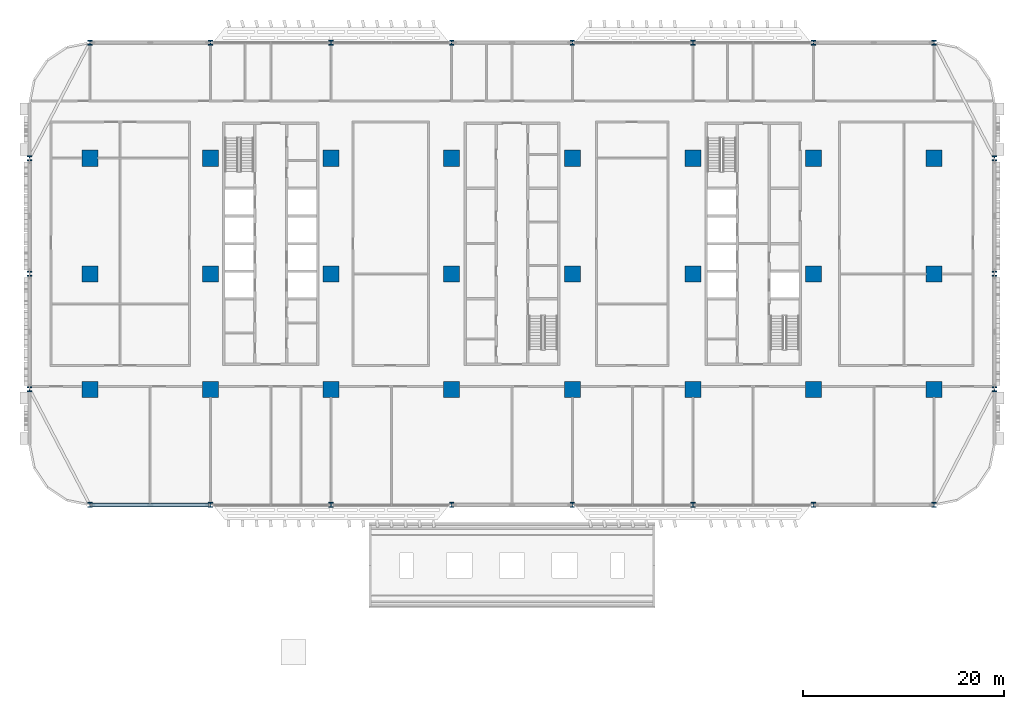
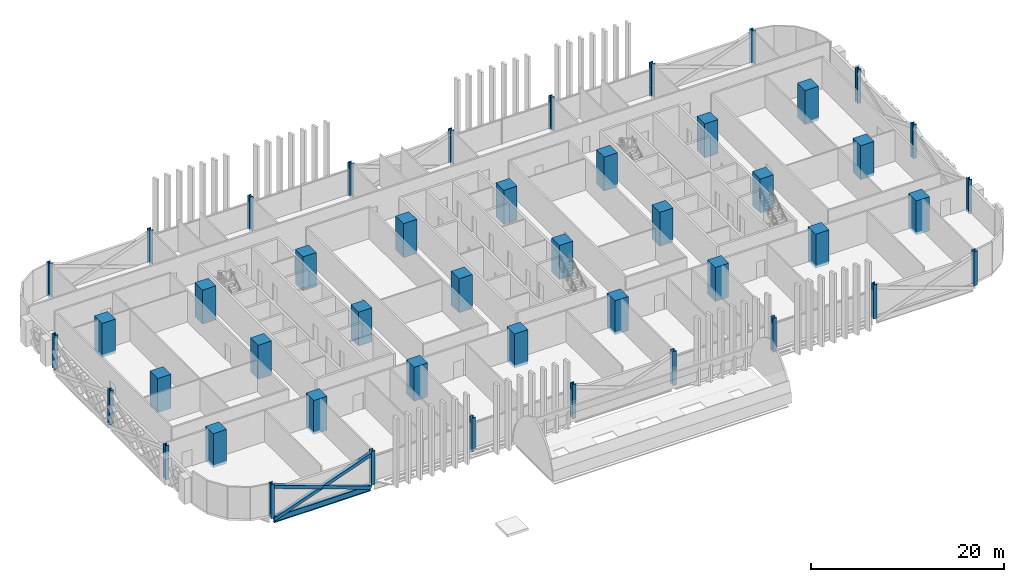
# One storey, part 1 of 31: 46 columns, 3 members, 1 beam.
"""IFC4 building model written with IfcOpenShell, lengths in metres."""

from ifc_helpers import new_model, si_unit, direction, frame, origin, origin_2d, place, context, subcontext, project, spatial, rectangle, hollow_rectangle, i_section, extrude, material, material_profile, profile_set, type_object, element, save


model = new_model("IFC4")

# Units and contexts
model_context = context("Model", 3, precision=1e-05, world=origin(), true_north=direction((0.0, 1.0)))
body_context = subcontext(model_context, "Body", "Model", "MODEL_VIEW")
ifc_project = project(units=[si_unit("LENGTHUNIT", "METRE"), si_unit("AREAUNIT", "SQUARE_METRE"), si_unit("VOLUMEUNIT", "CUBIC_METRE"), si_unit("PLANEANGLEUNIT", "RADIAN"), si_unit("MASSUNIT", "GRAM", prefix="KILO")], contexts=[model_context])

# Site, building, storey
site_placement = place(None, origin())
site = spatial("IfcSite", under=ifc_project, at=site_placement, CompositionType="ELEMENT")
building_placement = place(site_placement, origin())
building = spatial("IfcBuilding", under=site, at=building_placement, Name="Mahtab Terrace Research Tower", CompositionType="ELEMENT")
storey_placement = place(building_placement, frame((0.0, 0.0, 11.5)))
storey = spatial("IfcBuildingStorey", under=building, at=storey_placement, Name="L02", CompositionType="ELEMENT", Elevation=11.5)

# Columns
ifc_material_1 = material(Name="Concrete C70/85", Category="concrete")
ifc_material_profile_1 = material_profile(ifc_material_1, rectangle(XDim=1.60009765625, YDim=1.60009765625, at=origin_2d()), Name="RC column 1600x1600")
ifc_profile_set_1 = profile_set([ifc_material_profile_1], Name="Concrete C70/85")
column_type_1 = type_object("IfcColumnType", Name="RC column 1600x1600", PredefinedType="COLUMN", material=ifc_profile_set_1)
for number, where, z_axis, x_axis, name in (
    (1, (-42.0, -11.5, -0.340087890625), (0.0, 0.0, 1.0), (1.0, 0.0, 0.0), "Column RC-1A L02"),
    (2, (-42.0, 0.0, -0.340087890625), (0.0, 0.0, 1.0), (1.0, 0.0, 0.0), "Column RC-1B L02"),
    (3, (-42.0, 11.5, -0.340087890625), (0.0, 0.0, 1.0), (1.0, 0.0, 0.0), "Column RC-1C L02"),
    (4, (-30.0, -11.5, -0.340087890625), (0.0, 0.0, 1.0), (1.0, 0.0, 0.0), "Column RC-2A L02"),
    (5, (-30.0, 0.0, -0.340087890625), (0.0, 0.0, 1.0), (1.0, 0.0, 0.0), "Column RC-2B L02"),
    (6, (-30.0, 11.5, -0.340087890625), (0.0, 0.0, 1.0), (1.0, 0.0, 0.0), "Column RC-2C L02"),
    (7, (-18.0, -11.5, -0.340087890625), (0.0, 0.0, 1.0), (1.0, 0.0, 0.0), "Column RC-3A L02"),
    (8, (-18.0, 0.0, -0.340087890625), (0.0, 0.0, 1.0), (1.0, 0.0, 0.0), "Column RC-3B L02"),
    (9, (-18.0, 11.5, -0.340087890625), (0.0, 0.0, 1.0), (1.0, 0.0, 0.0), "Column RC-3C L02"),
    (10, (-6.0, -11.5, -0.340087890625), (0.0, 0.0, 1.0), (1.0, 0.0, 0.0), "Column RC-4A L02"),
    (11, (-6.0, 0.0, -0.340087890625), (0.0, 0.0, 1.0), (1.0, 0.0, 0.0), "Column RC-4B L02"),
    (12, (-6.0, 11.5, -0.340087890625), (0.0, 0.0, 1.0), (1.0, 0.0, 0.0), "Column RC-4C L02"),
    (13, (6.0, -11.5, -0.340087890625), (0.0, 0.0, 1.0), (1.0, 0.0, 0.0), "Column RC-5A L02"),
    (14, (6.0, 0.0, -0.340087890625), (0.0, 0.0, 1.0), (1.0, 0.0, 0.0), "Column RC-5B L02"),
    (15, (6.0, 11.5, -0.340087890625), (0.0, 0.0, 1.0), (1.0, 0.0, 0.0), "Column RC-5C L02"),
    (16, (18.0, -11.5, -0.340087890625), (0.0, 0.0, 1.0), (1.0, 0.0, 0.0), "Column RC-6A L02"),
    (17, (18.0, 0.0, -0.340087890625), (0.0, 0.0, 1.0), (1.0, 0.0, 0.0), "Column RC-6B L02"),
    (18, (18.0, 11.5, -0.340087890625), (0.0, 0.0, 1.0), (1.0, 0.0, 0.0), "Column RC-6C L02"),
    (19, (30.0, -11.5, -0.340087890625), (0.0, 0.0, 1.0), (1.0, 0.0, 0.0), "Column RC-7A L02"),
    (20, (30.0, 0.0, -0.340087890625), (0.0, 0.0, 1.0), (1.0, 0.0, 0.0), "Column RC-7B L02"),
    (21, (30.0, 11.5, -0.340087890625), (0.0, 0.0, 1.0), (1.0, 0.0, 0.0), "Column RC-7C L02"),
    (22, (42.0, -11.5, -0.340087890625), (0.0, 0.0, 1.0), (1.0, 0.0, 0.0), "Column RC-8A L02"),
    (23, (42.0, 0.0, -0.340087890625), (0.0, 0.0, 1.0), (1.0, 0.0, 0.0), "Column RC-8B L02"),
    (24, (42.0, 11.5, -0.340087890625), (0.0, 0.0, 1.0), (1.0, 0.0, 0.0), "Column RC-8C L02"),
):
    element("IfcColumn", number, at=place(storey_placement, frame(where, z_axis=z_axis, x_axis=x_axis)), inside=storey, type_object=column_type_1, Name=name, PredefinedType="COLUMN", context=body_context, shape_type="SweptSolid", body=[
        extrude(rectangle(XDim=1.60009765625, YDim=1.60009765625, at=origin_2d()), origin(), (0.0, 0.0, 1.0), 4.300048828125),
    ])
ifc_material_2 = material(Name="Steel ASTM A992 Gr 50", Category="steel")
ifc_material_profile_2 = material_profile(ifc_material_2, i_section(OverallWidth=0.431884765625, OverallDepth=0.497802734375, WebThickness=0.0556640625, FlangeThickness=0.0888671875, at=origin_2d()), Name="W14X500")
ifc_profile_set_2 = profile_set([ifc_material_profile_2], Name="Steel ASTM A992 Gr 50")
column_type_2 = type_object("IfcColumnType", Name="W14x500 column CS14500", PredefinedType="COLUMN", material=ifc_profile_set_2)
for number, where, z_axis, x_axis, name in (
    (25, (42.0, 23.0, -0.340087890625), (0.0, 0.0, 1.0), (1.0, 0.0, 0.0), "Column SC-001 L02"),
    (26, (30.0, 23.0, -0.340087890625), (0.0, 0.0, 1.0), (1.0, 0.0, 0.0), "Column SC-002 L02"),
    (27, (18.0, 23.0, -0.340087890625), (0.0, 0.0, 1.0), (1.0, 0.0, 0.0), "Column SC-003 L02"),
    (28, (6.0, 23.0, -0.340087890625), (0.0, 0.0, 1.0), (1.0, 0.0, 0.0), "Column SC-004 L02"),
    (29, (-6.0, 23.0, -0.340087890625), (0.0, 0.0, 1.0), (1.0, 0.0, 0.0), "Column SC-005 L02"),
    (30, (-18.0, 23.0, -0.340087890625), (0.0, 0.0, 1.0), (1.0, 0.0, 0.0), "Column SC-006 L02"),
    (31, (-30.0, 23.0, -0.340087890625), (0.0, 0.0, 1.0), (1.0, 0.0, 0.0), "Column SC-007 L02"),
    (32, (-42.0, 23.0, -0.340087890625), (0.0, 0.0, 1.0), (1.0, 0.0, 0.0), "Column SC-008 L02"),
    (33, (-48.0, 11.5, -0.340087890625), (0.0, 0.0, 1.0), (1.0, 0.0, 0.0), "Column SC-009 L02"),
    (34, (-48.0, 0.0, -0.340087890625), (0.0, 0.0, 1.0), (1.0, 0.0, 0.0), "Column SC-010 L02"),
    (35, (-48.0, -11.5, -0.340087890625), (0.0, 0.0, 1.0), (1.0, 0.0, 0.0), "Column SC-011 L02"),
    (36, (-42.0, -23.0, -0.340087890625), (0.0, 0.0, 1.0), (1.0, 0.0, 0.0), "Column SC-012 L02"),
    (37, (-30.0, -23.0, -0.340087890625), (0.0, 0.0, 1.0), (1.0, 0.0, 0.0), "Column SC-013 L02"),
    (38, (-18.0, -23.0, -0.340087890625), (0.0, 0.0, 1.0), (1.0, 0.0, 0.0), "Column SC-014 L02"),
    (39, (-6.0, -23.0, -0.340087890625), (0.0, 0.0, 1.0), (1.0, 0.0, 0.0), "Column SC-015 L02"),
    (40, (6.0, -23.0, -0.340087890625), (0.0, 0.0, 1.0), (1.0, 0.0, 0.0), "Column SC-016 L02"),
    (41, (18.0, -23.0, -0.340087890625), (0.0, 0.0, 1.0), (1.0, 0.0, 0.0), "Column SC-017 L02"),
    (42, (30.0, -23.0, -0.340087890625), (0.0, 0.0, 1.0), (1.0, 0.0, 0.0), "Column SC-018 L02"),
    (43, (42.0, -23.0, -0.340087890625), (0.0, 0.0, 1.0), (1.0, 0.0, 0.0), "Column SC-019 L02"),
    (44, (48.0, -11.5, -0.340087890625), (0.0, 0.0, 1.0), (1.0, 0.0, 0.0), "Column SC-020 L02"),
    (45, (48.0, 0.0, -0.340087890625), (0.0, 0.0, 1.0), (1.0, 0.0, 0.0), "Column SC-021 L02"),
    (46, (48.0, 11.5, -0.340087890625), (0.0, 0.0, 1.0), (1.0, 0.0, 0.0), "Column SC-022 L02"),
):
    element("IfcColumn", number, at=place(storey_placement, frame(where, z_axis=z_axis, x_axis=x_axis)), inside=storey, type_object=column_type_2, Name=name, PredefinedType="COLUMN", context=body_context, shape_type="SweptSolid", body=[
        extrude(i_section(OverallWidth=0.431884765625, OverallDepth=0.497802734375, WebThickness=0.0556640625, FlangeThickness=0.0888671875, at=origin_2d()), origin(), (0.0, 0.0, 1.0), 4.300048828125),
    ])

# Members
ifc_material_3 = material(Name="Steel ASTM A500 Gr C", Category="steel")
ifc_material_profile_3 = material_profile(ifc_material_3, hollow_rectangle(XDim=0.406494140625, YDim=0.406494140625, WallThickness=0.01904296875, at=origin_2d()), Name="HSS16X16X3/4")
ifc_profile_set_3 = profile_set([ifc_material_profile_3], Name="Steel ASTM A500 Gr C")
member_type = type_object("IfcMemberType", Name="HSS 16x16x3/4 brace XB161634", PredefinedType="BRACE", material=ifc_profile_set_3)
member_placement = place(storey_placement, frame((-41.7841796875, -23.0, -0.64111328125), z_axis=(0.941388097231, 0.0, 0.337325436917), x_axis=(0.0, 1.0, 0.0)))
element("IfcMember", 47, at=member_placement, inside=storey, type_object=member_type, Name="Exoskeleton brace L02 12 a", PredefinedType="BRACE", context=body_context, shape_type="SweptSolid", body=[
    extrude(hollow_rectangle(XDim=0.406494140625, YDim=0.406494140625, WallThickness=0.01904296875, at=origin_2d()), origin(), (0.0, 0.0, 1.0), 12.28857421875),
])
for number, where, z_axis, x_axis, name in (
    (48, (-30.2158203125, -23.0, -0.64111328125), (-0.941381788192, 0.0, 0.337343043295), (0.0, -1.0, 0.0), "Exoskeleton brace L02 12 b1"),
    (49, (-36.0, -23.0, 1.431640625), (-0.941394406025, 0.0, 0.337307830185), (0.0, -1.0, 0.0), "Exoskeleton brace L02 12 b2"),
):
    element("IfcMember", number, at=place(storey_placement, frame(where, z_axis=z_axis, x_axis=x_axis)), inside=storey, type_object=member_type, Name=name, PredefinedType="BRACE", context=body_context, shape_type="SweptSolid", body=[
        extrude(hollow_rectangle(XDim=0.406494140625, YDim=0.406494140625, WallThickness=0.01904296875, at=origin_2d()), origin(), (0.0, 0.0, 1.0), 6.144287109375),
    ])

# Beam
ifc_material_profile_4 = material_profile(ifc_material_2, i_section(OverallWidth=0.2666015625, OverallDepth=0.7568359375, WebThickness=0.013916015625, FlangeThickness=0.019287109375, at=origin_2d()), Name="W30X108")
ifc_profile_set_4 = profile_set([ifc_material_profile_4], Name="Steel ASTM A992 Gr 50")
beam_type = type_object("IfcBeamType", Name="W30x108 beam BS30108", PredefinedType="BEAM", material=ifc_profile_set_4)
beam_placement = place(storey_placement, frame((-41.7841796875, -23.0, -0.718505859375), z_axis=(1.0, 0.0, 0.0), x_axis=(0.0, 1.0, 0.0)))
element("IfcBeam", 50, at=beam_placement, inside=storey, type_object=beam_type, Name="Spandrel beam L02 12", PredefinedType="BEAM", context=body_context, shape_type="SweptSolid", body=[
    extrude(i_section(OverallWidth=0.2666015625, OverallDepth=0.7568359375, WebThickness=0.013916015625, FlangeThickness=0.019287109375, at=origin_2d()), origin(), (0.0, 0.0, 1.0), 11.568359375),
])

save(model, "model.ifc")
